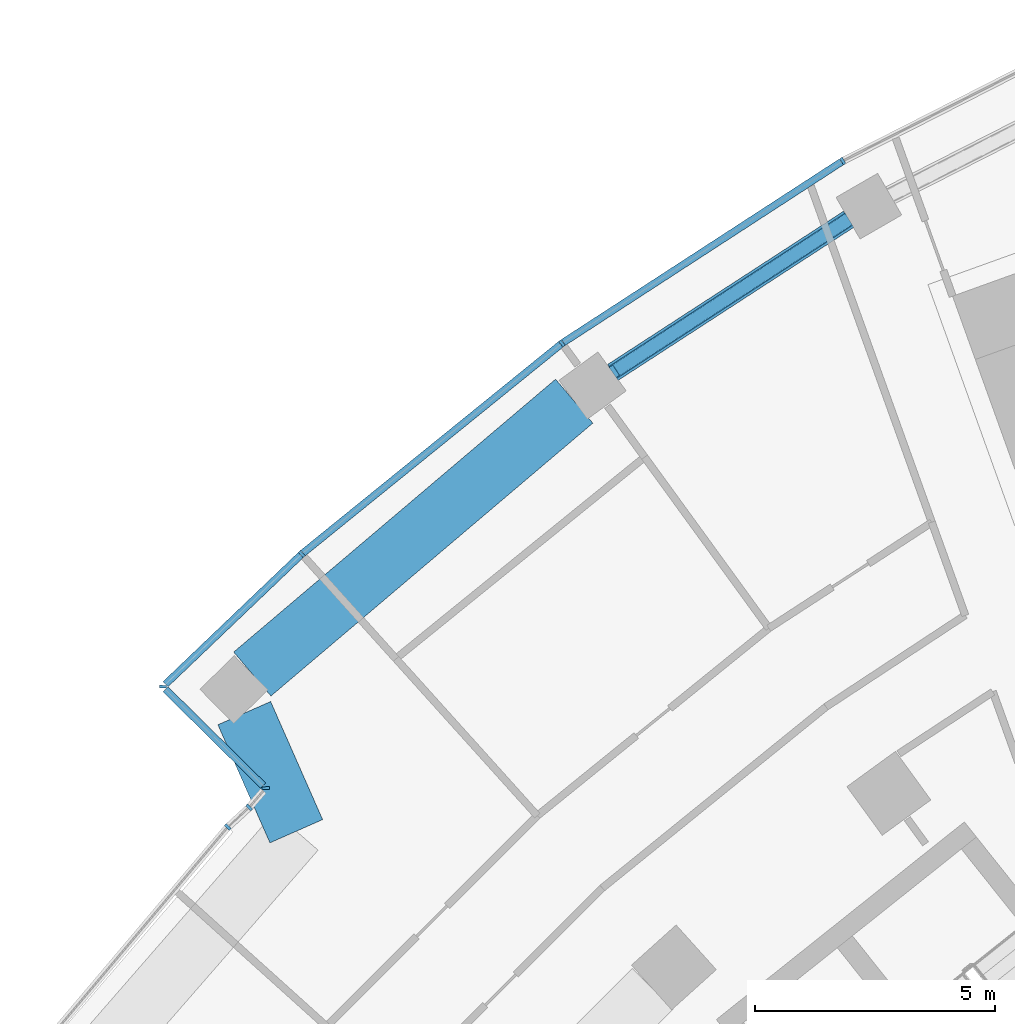
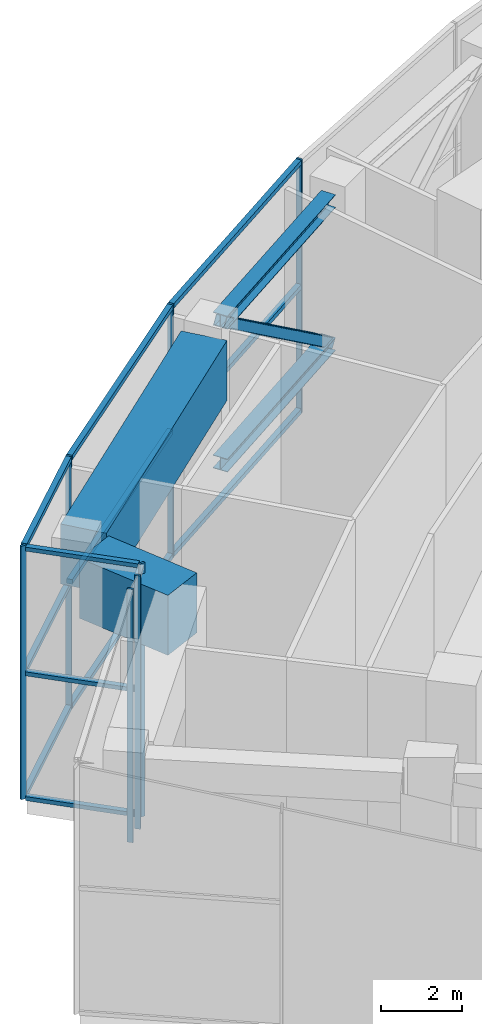
# One storey, part 4 of 32: 22 members, 2 beams, 5 elements without a shape of their own.
"""IFC4 building model written with IfcOpenShell, lengths in metres."""

from ifc_helpers import new_model, si_unit, direction, frame, origin, origin_2d, place, context, subcontext, project, spatial, rectangle, hollow_rectangle, i_section, extrude, material, layer, layer_set, material_profile, profile_set, type_object, element, aggregate, save


model = new_model("IFC4")

# Units and contexts
model_context = context("Model", 3, precision=1e-05, world=origin(), true_north=direction((0.0, 1.0)))
body_context = subcontext(model_context, "Body", "Model", "MODEL_VIEW")
ifc_project = project(units=[si_unit("LENGTHUNIT", "METRE"), si_unit("AREAUNIT", "SQUARE_METRE"), si_unit("VOLUMEUNIT", "CUBIC_METRE"), si_unit("PLANEANGLEUNIT", "RADIAN"), si_unit("MASSUNIT", "GRAM", prefix="KILO")], contexts=[model_context])

# Site, building, storey
site_placement = place(None, origin())
site = spatial("IfcSite", under=ifc_project, at=site_placement, CompositionType="ELEMENT")
building_placement = place(site_placement, origin())
building = spatial("IfcBuilding", under=site, at=building_placement, Name="Stone Belt Terrace Tower", CompositionType="ELEMENT")
storey_placement = place(building_placement, frame((0.0, 0.0, 193.39990234375)))
storey = spatial("IfcBuildingStorey", under=building, at=storey_placement, Name="L47", CompositionType="ELEMENT", Elevation=193.39990234375)

# Members
ifc_material_1 = material(Name="Structural steel C345", Category="steel")
ifc_material_profile_1 = material_profile(ifc_material_1, i_section(OverallWidth=0.39794921875, OverallDepth=0.39404296875, WebThickness=0.010986328125, FlangeThickness=0.01806640625, at=origin_2d()), Name="I 40K1")
ifc_profile_set_1 = profile_set([ifc_material_profile_1], Name="Structural steel C345")
member_type_1 = type_object("IfcMemberType", Name="Belt chord I 40K1", PredefinedType="CHORD", material=ifc_profile_set_1)
for number, where, z_axis, x_axis, name in (
    (1, (-38.073486328125, 53.25439453125, 7.0830078125), (0.838676052479, 0.54463058948, 0.0), (-0.54463058948, 0.838676052479, 0.0), "Belt truss T3 ring R top chord 3"),
    (2, (-38.073486328125, 53.25439453125, 2.797119140625), (0.838676052479, 0.54463058948, 0.0), (-0.54463058948, 0.838676052479, 0.0), "Belt truss T3 ring R bot chord 3"),
):
    element("IfcMember", number, at=place(storey_placement, frame(where, z_axis=z_axis, x_axis=x_axis)), inside=storey, type_object=member_type_1, Name=name, PredefinedType="CHORD", context=body_context, shape_type="SweptSolid", body=[
        extrude(i_section(OverallWidth=0.39794921875, OverallDepth=0.39404296875, WebThickness=0.010986328125, FlangeThickness=0.01806640625, at=origin_2d()), origin(), (0.0, 0.0, 1.0), 5.853515625),
    ])
ifc_material_profile_2 = material_profile(ifc_material_1, hollow_rectangle(XDim=0.300048828125, YDim=0.300048828125, WallThickness=0.011962890625, InnerFilletRadius=0.02392578125, OuterFilletRadius=0.035888671875, at=origin_2d()), Name="SHS 300x300x12")
ifc_profile_set_2 = profile_set([ifc_material_profile_2], Name="Structural steel C345")
member_type_2 = type_object("IfcMemberType", Name="Belt diagonal SHS 300x300x12", PredefinedType="BRACE", material=ifc_profile_set_2)
member_1_placement = place(storey_placement, frame((-38.073486328125, 53.25439453125, 7.0830078125), z_axis=(0.676680010661, 0.439431449135, -0.590765744338), x_axis=(-0.54463058948, 0.838676052479, 0.0)))
element("IfcMember", 3, at=member_1_placement, inside=storey, type_object=member_type_2, Name="Belt truss T3 ring R diagonal 3", PredefinedType="BRACE", context=body_context, shape_type="SweptSolid", body=[
    extrude(hollow_rectangle(XDim=0.300048828125, YDim=0.300048828125, WallThickness=0.011962890625, InnerFilletRadius=0.02392578125, OuterFilletRadius=0.035888671875, at=origin_2d()), origin(), (0.0, 0.0, 1.0), 7.2548828125),
])

# Curtain wall, members
ifc_material_2 = material(Name="Aluminium 6063-T6 anodised frame", Category="aluminium")
ifc_layer_1 = layer(ifc_material_2, 0.14990234375)
ifc_layer_set_1 = layer_set([ifc_layer_1], Name="CW-A unitised convex-face curtain wall")
curtain_wall_type_1 = type_object("IfcCurtainWallType", Name="CW-A unitised convex-face curtain wall", PredefinedType="NOTDEFINED", material=ifc_layer_set_1)
curtain_wall_1_placement = place(storey_placement, origin())
curtain_wall_1 = element("IfcCurtainWall", 4, at=curtain_wall_1_placement, inside=storey, type_object=curtain_wall_type_1, Name="CW-A convex face L47", PredefinedType="NOTDEFINED")
ifc_material_profile_3 = material_profile(ifc_material_2, rectangle(XDim=0.14990234375, YDim=0.06005859375, at=origin_2d()), Name="Aluminium 6063-T6 60x150")
ifc_profile_set_3 = profile_set([ifc_material_profile_3], Name="Aluminium 6063-T6 anodised frame")
member_type_3 = type_object("IfcMemberType", Name="CW-A mullion 60 x 150", PredefinedType="MULLION", material=ifc_profile_set_3)
member_2_placement = place(storey_placement, frame((-33.28759765625, 57.65576171875, 0.0), z_axis=(0.0, 0.0, 1.0), x_axis=(0.5, -0.866025403784, 0.0)))
member_2 = element("IfcMember", 5, at=member_2_placement, type_object=member_type_3, Name="CW-A mullion 14", PredefinedType="MULLION", context=body_context, shape_type="SweptSolid", body=[
    extrude(rectangle(XDim=0.14990234375, YDim=0.06005859375, at=origin_2d()), origin(), (0.0, 0.0, 1.0), 7.60009765625),
])
member_3_placement = place(storey_placement, frame((-39.1318359375, 53.8603515625, 0.0), z_axis=(0.0, 0.0, 1.0), x_axis=(0.587785252292, -0.809016994375, 0.0)))
member_3 = element("IfcMember", 6, at=member_3_placement, type_object=member_type_3, Name="CW-A mullion 15", PredefinedType="MULLION", context=body_context, shape_type="SweptSolid", body=[
    extrude(rectangle(XDim=0.14990234375, YDim=0.06005859375, at=origin_2d()), origin(), (0.0, 0.0, 1.0), 7.60009765625),
])
member_4_placement = place(storey_placement, frame((-44.546875, 49.4755859375, 0.0), z_axis=(0.0, 0.0, 1.0), x_axis=(0.660573481499, -0.75076139721, 0.0)))
member_4 = element("IfcMember", 7, at=member_4_placement, type_object=member_type_3, Name="CW-A mullion 16", PredefinedType="MULLION", context=body_context, shape_type="SweptSolid", body=[
    extrude(rectangle(XDim=0.14990234375, YDim=0.06005859375, at=origin_2d()), origin(), (0.0, 0.0, 1.0), 7.60009765625),
])
ifc_material_profile_4 = material_profile(ifc_material_2, rectangle(XDim=0.14990234375, YDim=0.139892578125, at=origin_2d()), Name="Aluminium 6063-T6 150x140")
ifc_profile_set_4 = profile_set([ifc_material_profile_4], Name="Aluminium 6063-T6 anodised frame")
member_type_4 = type_object("IfcMemberType", Name="CW-A transom 140 x 150", PredefinedType="USERDEFINED", material=ifc_profile_set_4)
member_5_placement = place(storey_placement, frame((-33.31591796875, 57.63720703125, 0.070068359375), z_axis=(-0.83868440714, -0.544617723931, 0.0), x_axis=(0.544617723931, -0.83868440714, 0.0)))
member_5 = element("IfcMember", 8, at=member_5_placement, type_object=member_type_4, Name="CW-A transom 14.1", ObjectType="TRANSOM", PredefinedType="USERDEFINED", context=body_context, shape_type="SweptSolid", body=[
    extrude(rectangle(XDim=0.14990234375, YDim=0.139892578125, at=origin_2d()), origin(), (0.0, 0.0, 1.0), 6.90087890625),
])
member_6_placement = place(storey_placement, frame((-33.31591796875, 57.63720703125, 3.800048828125), z_axis=(-0.83868440714, -0.544617723931, 0.0), x_axis=(0.544617723931, -0.83868440714, 0.0)))
member_6 = element("IfcMember", 9, at=member_6_placement, type_object=member_type_4, Name="CW-A transom 14.2", ObjectType="TRANSOM", PredefinedType="USERDEFINED", context=body_context, shape_type="SweptSolid", body=[
    extrude(rectangle(XDim=0.14990234375, YDim=0.139892578125, at=origin_2d()), origin(), (0.0, 0.0, 1.0), 6.90087890625),
])
member_7_placement = place(storey_placement, frame((-33.31591796875, 57.63720703125, 7.530029296875), z_axis=(-0.83868440714, -0.544617723931, 0.0), x_axis=(0.544617723931, -0.83868440714, 0.0)))
member_7 = element("IfcMember", 10, at=member_7_placement, type_object=member_type_4, Name="CW-A transom 14.3", ObjectType="TRANSOM", PredefinedType="USERDEFINED", context=body_context, shape_type="SweptSolid", body=[
    extrude(rectangle(XDim=0.14990234375, YDim=0.139892578125, at=origin_2d()), origin(), (0.0, 0.0, 1.0), 6.90087890625),
])
member_8_placement = place(storey_placement, frame((-39.158203125, 53.839111328125, 0.070068359375), z_axis=(-0.777141048626, -0.629326457842, 0.0), x_axis=(0.629326457842, -0.777141048626, 0.0)))
member_8 = element("IfcMember", 11, at=member_8_placement, type_object=member_type_4, Name="CW-A transom 15.1", ObjectType="TRANSOM", PredefinedType="USERDEFINED", context=body_context, shape_type="SweptSolid", body=[
    extrude(rectangle(XDim=0.14990234375, YDim=0.139892578125, at=origin_2d()), origin(), (0.0, 0.0, 1.0), 6.900634765625),
])
member_9_placement = place(storey_placement, frame((-39.158203125, 53.839111328125, 3.800048828125), z_axis=(-0.777141048626, -0.629326457842, 0.0), x_axis=(0.629326457842, -0.777141048626, 0.0)))
member_9 = element("IfcMember", 12, at=member_9_placement, type_object=member_type_4, Name="CW-A transom 15.2", ObjectType="TRANSOM", PredefinedType="USERDEFINED", context=body_context, shape_type="SweptSolid", body=[
    extrude(rectangle(XDim=0.14990234375, YDim=0.139892578125, at=origin_2d()), origin(), (0.0, 0.0, 1.0), 6.900634765625),
])
member_10_placement = place(storey_placement, frame((-39.158203125, 53.839111328125, 7.530029296875), z_axis=(-0.777141048626, -0.629326457842, 0.0), x_axis=(0.629326457842, -0.777141048626, 0.0)))
member_10 = element("IfcMember", 13, at=member_10_placement, type_object=member_type_4, Name="CW-A transom 15.3", ObjectType="TRANSOM", PredefinedType="USERDEFINED", context=body_context, shape_type="SweptSolid", body=[
    extrude(rectangle(XDim=0.14990234375, YDim=0.139892578125, at=origin_2d()), origin(), (0.0, 0.0, 1.0), 6.900634765625),
])
member_11_placement = place(storey_placement, frame((-44.570556640625, 49.45263671875, 0.070068359375), z_axis=(-0.723150258233, -0.690690744124, 0.0), x_axis=(0.690690744124, -0.723150258233, 0.0)))
member_11 = element("IfcMember", 14, at=member_11_placement, type_object=member_type_4, Name="CW-A transom 16.1", ObjectType="TRANSOM", PredefinedType="USERDEFINED", context=body_context, shape_type="SweptSolid", body=[
    extrude(rectangle(XDim=0.14990234375, YDim=0.139892578125, at=origin_2d()), origin(), (0.0, 0.0, 1.0), 3.888671875),
])
member_12_placement = place(storey_placement, frame((-44.570556640625, 49.45263671875, 3.800048828125), z_axis=(-0.723150258233, -0.690690744124, 0.0), x_axis=(0.690690744124, -0.723150258233, 0.0)))
member_12 = element("IfcMember", 15, at=member_12_placement, type_object=member_type_4, Name="CW-A transom 16.2", ObjectType="TRANSOM", PredefinedType="USERDEFINED", context=body_context, shape_type="SweptSolid", body=[
    extrude(rectangle(XDim=0.14990234375, YDim=0.139892578125, at=origin_2d()), origin(), (0.0, 0.0, 1.0), 3.888671875),
])
member_13_placement = place(storey_placement, frame((-44.570556640625, 49.45263671875, 7.530029296875), z_axis=(-0.723150258233, -0.690690744124, 0.0), x_axis=(0.690690744124, -0.723150258233, 0.0)))
member_13 = element("IfcMember", 16, at=member_13_placement, type_object=member_type_4, Name="CW-A transom 16.3", ObjectType="TRANSOM", PredefinedType="USERDEFINED", context=body_context, shape_type="SweptSolid", body=[
    extrude(rectangle(XDim=0.14990234375, YDim=0.139892578125, at=origin_2d()), origin(), (0.0, 0.0, 1.0), 3.888671875),
])
aggregate(curtain_wall_1, [member_2, member_3, member_4, member_5, member_6, member_7, member_8, member_9, member_10, member_11, member_12, member_13])

# Curtain wall, member
ifc_layer_2 = layer(ifc_material_2, 0.14990234375)
ifc_layer_set_2 = layer_set([ifc_layer_2], Name="CW-C stick curtain wall, horn ends and notches")
curtain_wall_type_2 = type_object("IfcCurtainWallType", Name="CW-C stick curtain wall, horn ends and notches", PredefinedType="NOTDEFINED", material=ifc_layer_set_2)
curtain_wall_2_placement = place(storey_placement, origin())
curtain_wall_2 = element("IfcCurtainWall", 17, at=curtain_wall_2_placement, inside=storey, type_object=curtain_wall_type_2, Name="CW-C notch face L47", PredefinedType="NOTDEFINED")
ifc_material_profile_5 = material_profile(ifc_material_2, rectangle(XDim=0.14990234375, YDim=0.06005859375, at=origin_2d()), Name="Aluminium 6063-T6 60x150")
ifc_profile_set_5 = profile_set([ifc_material_profile_5], Name="Aluminium 6063-T6 anodised frame")
member_type_5 = type_object("IfcMemberType", Name="CW-C mullion 60 x 150", PredefinedType="MULLION", material=ifc_profile_set_5)
member_14_placement = place(storey_placement, frame((-47.4365234375, 46.715087890625, 0.0), z_axis=(0.0, 0.0, 1.0), x_axis=(0.999966480105, -0.008187714406, 0.0)))
member_14 = element("IfcMember", 18, at=member_14_placement, type_object=member_type_5, Name="CW-C mullion 1", PredefinedType="MULLION", context=body_context, shape_type="SweptSolid", body=[
    extrude(rectangle(XDim=0.14990234375, YDim=0.06005859375, at=origin_2d()), origin(), (0.0, 0.0, 1.0), 7.60009765625),
])

curtain_wall_3_placement = place(storey_placement, origin())
curtain_wall_3 = element("IfcCurtainWall", 19, at=curtain_wall_3_placement, inside=storey, type_object=curtain_wall_type_2, Name="CW-C end face L47", PredefinedType="NOTDEFINED")
member_15_placement = place(storey_placement, frame((-45.29638671875, 44.602783203125, 0.0), z_axis=(0.0, 0.0, 1.0), x_axis=(0.999185209744, 0.040359839301, 0.0)))
member_15 = element("IfcMember", 20, at=member_15_placement, type_object=member_type_5, Name="CW-C mullion 1", PredefinedType="MULLION", context=body_context, shape_type="SweptSolid", body=[
    extrude(rectangle(XDim=0.14990234375, YDim=0.06005859375, at=origin_2d()), origin(), (0.0, 0.0, 1.0), 7.60009765625),
])
aggregate(curtain_wall_3, [member_15])

curtain_wall_4_placement = place(storey_placement, origin())
curtain_wall_4 = element("IfcCurtainWall", 21, at=curtain_wall_4_placement, inside=storey, type_object=curtain_wall_type_2, Name="CW-C end face L47", PredefinedType="NOTDEFINED")
member_16_placement = place(storey_placement, frame((-45.6416015625, 44.201904296875, 0.0), z_axis=(0.0, 0.0, 1.0), x_axis=(0.718345898679, -0.695686114459, 0.0)))
member_16 = element("IfcMember", 22, at=member_16_placement, type_object=member_type_5, Name="CW-C mullion 1", PredefinedType="MULLION", context=body_context, shape_type="SweptSolid", body=[
    extrude(rectangle(XDim=0.14990234375, YDim=0.06005859375, at=origin_2d()), origin(), (0.0, 0.0, 1.0), 7.60009765625),
])
aggregate(curtain_wall_4, [member_16])

curtain_wall_5_placement = place(storey_placement, origin())
curtain_wall_5 = element("IfcCurtainWall", 23, at=curtain_wall_5_placement, inside=storey, type_object=curtain_wall_type_2, Name="CW-C notch face L47", PredefinedType="NOTDEFINED")
member_17_placement = place(storey_placement, frame((-46.086181640625, 43.79345703125, 0.0), z_axis=(0.0, 0.0, 1.0), x_axis=(0.721637914519, -0.692270698736, 0.0)))
member_17 = element("IfcMember", 24, at=member_17_placement, type_object=member_type_5, Name="CW-C mullion 1", PredefinedType="MULLION", context=body_context, shape_type="SweptSolid", body=[
    extrude(rectangle(XDim=0.14990234375, YDim=0.06005859375, at=origin_2d()), origin(), (0.0, 0.0, 1.0), 7.60009765625),
])
aggregate(curtain_wall_5, [member_17])

# Member
ifc_material_profile_6 = material_profile(ifc_material_2, rectangle(XDim=0.14990234375, YDim=0.1201171875, at=origin_2d()), Name="Aluminium 6063-T6 150x120")
ifc_profile_set_6 = profile_set([ifc_material_profile_6], Name="Aluminium 6063-T6 anodised frame")
member_type_6 = type_object("IfcMemberType", Name="CW-C transom 120 x 150", PredefinedType="USERDEFINED", material=ifc_profile_set_6)
member_18_placement = place(storey_placement, frame((-47.383544921875, 46.66259765625, 0.06005859375), z_axis=(0.711744791626, -0.702438147877, 0.0), x_axis=(0.702438147877, 0.711744791626, 0.0)))
member_18 = element("IfcMember", 25, at=member_18_placement, type_object=member_type_6, Name="CW-C transom 1.1", ObjectType="TRANSOM", PredefinedType="USERDEFINED", context=body_context, shape_type="SweptSolid", body=[
    extrude(rectangle(XDim=0.14990234375, YDim=0.1201171875, at=origin_2d()), origin(), (0.0, 0.0, 1.0), 2.859375),
])

member_19_placement = place(storey_placement, frame((-47.383544921875, 46.66259765625, 3.800048828125), z_axis=(0.711744791626, -0.702438147877, 0.0), x_axis=(0.702438147877, 0.711744791626, 0.0)))
member_19 = element("IfcMember", 26, at=member_19_placement, type_object=member_type_6, Name="CW-C transom 1.2", ObjectType="TRANSOM", PredefinedType="USERDEFINED", context=body_context, shape_type="SweptSolid", body=[
    extrude(rectangle(XDim=0.14990234375, YDim=0.1201171875, at=origin_2d()), origin(), (0.0, 0.0, 1.0), 2.859375),
])

member_20_placement = place(storey_placement, frame((-47.383544921875, 46.66259765625, 7.5400390625), z_axis=(0.711744791626, -0.702438147877, 0.0), x_axis=(0.702438147877, 0.711744791626, 0.0)))
member_20 = element("IfcMember", 27, at=member_20_placement, type_object=member_type_6, Name="CW-C transom 1.3", ObjectType="TRANSOM", PredefinedType="USERDEFINED", context=body_context, shape_type="SweptSolid", body=[
    extrude(rectangle(XDim=0.14990234375, YDim=0.1201171875, at=origin_2d()), origin(), (0.0, 0.0, 1.0), 2.859375),
])

aggregate(curtain_wall_2, [member_14, member_18, member_19, member_20])

# Beams
ifc_material_3 = material(Name="Concrete B80", Category="concrete")
ifc_material_profile_7 = material_profile(ifc_material_3, rectangle(XDim=1.199951171875, YDim=1.800048828125, at=origin_2d()), Name="RC 1200x1800")
ifc_profile_set_7 = profile_set([ifc_material_profile_7], Name="Concrete B80")
beam_type = type_object("IfcBeamType", Name="Transfer girder RC 1200x1800 B80", PredefinedType="BEAM", material=ifc_profile_set_7)
beam_1_placement = place(storey_placement, frame((-44.660400390625, 43.70703125, 6.380126953125), z_axis=(-0.403082839187, 0.915163496187, 0.0), x_axis=(-0.915163496187, -0.403082839187, 0.0)))
element("IfcBeam", 28, at=beam_1_placement, inside=storey, type_object=beam_type, Name="Transfer beam L47 RRA-RNA", PredefinedType="BEAM", context=body_context, shape_type="SweptSolid", body=[
    extrude(rectangle(XDim=1.199951171875, YDim=1.800048828125, at=origin_2d()), origin(), (0.0, 0.0, 1.0), 2.685546875),
])
beam_2_placement = place(storey_placement, frame((-45.575927734375, 46.978515625, 6.380126953125), z_axis=(0.76283773516, 0.646589970395, 0.0), x_axis=(-0.646589970395, 0.76283773516, 0.0)))
element("IfcBeam", 29, at=beam_2_placement, inside=storey, type_object=beam_type, Name="Transfer beam L47 RRNA-R16", PredefinedType="BEAM", context=body_context, shape_type="SweptSolid", body=[
    extrude(rectangle(XDim=1.199951171875, YDim=1.800048828125, at=origin_2d()), origin(), (0.0, 0.0, 1.0), 8.782958984375),
])

save(model, "model.ifc")
